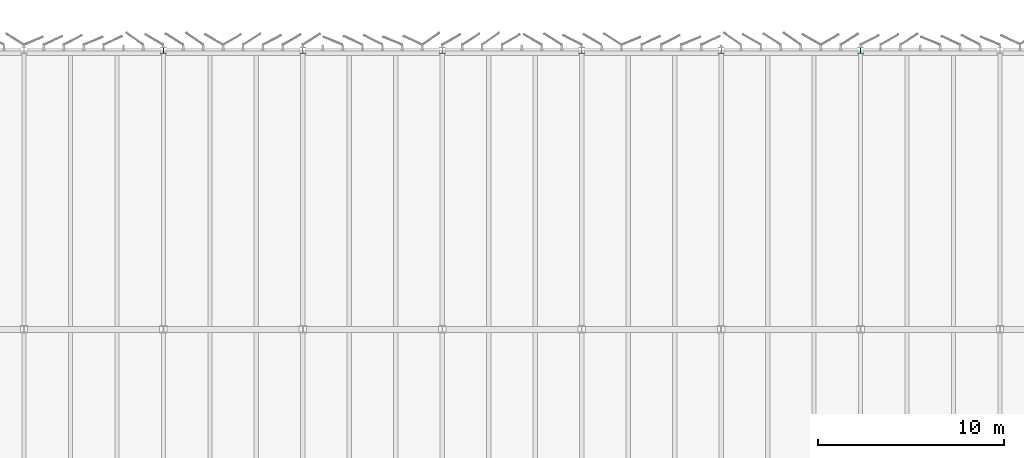
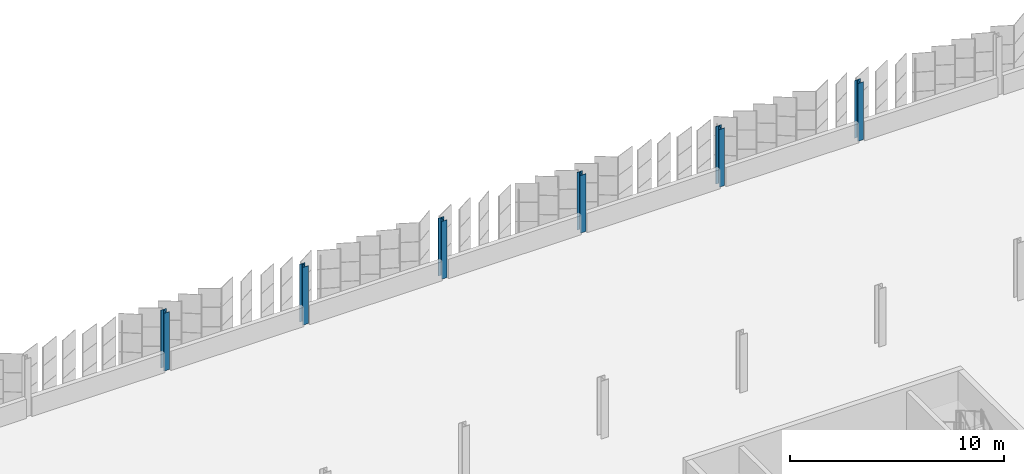
# One storey, part 33 of 214: 6 columns.
"""IFC4 building model written with IfcOpenShell, lengths in metres."""

from ifc_helpers import new_model, si_unit, direction, frame, origin, origin_2d, place, context, subcontext, project, spatial, i_section, extrude, material, material_profile, profile_set, type_object, element, save


model = new_model("IFC4")

# Units and contexts
model_context = context("Model", 3, precision=1e-05, world=origin(), true_north=direction((0.0, 1.0)))
body_context = subcontext(model_context, "Body", "Model", "MODEL_VIEW")
ifc_project = project(units=[si_unit("LENGTHUNIT", "METRE"), si_unit("AREAUNIT", "SQUARE_METRE"), si_unit("VOLUMEUNIT", "CUBIC_METRE"), si_unit("PLANEANGLEUNIT", "RADIAN"), si_unit("MASSUNIT", "GRAM", prefix="KILO")], contexts=[model_context])

# Site, building, storey
site_placement = place(None, origin())
site = spatial("IfcSite", under=ifc_project, at=site_placement, CompositionType="ELEMENT")
building_placement = place(site_placement, origin())
building = spatial("IfcBuilding", under=site, at=building_placement, Name="Parallax Yard Mobility Hub", CompositionType="ELEMENT")
storey_placement = place(building_placement, frame((0.0, 0.0, 3.300048828125)))
storey = spatial("IfcBuildingStorey", under=building, at=storey_placement, Name="L01", CompositionType="ELEMENT", Elevation=3.300048828125)

# Columns
ifc_material = material(Name="Steel ASTM A992", Category="steel")
ifc_material_profile = material_profile(ifc_material, i_section(OverallWidth=0.304931640625, OverallDepth=0.31201171875, WebThickness=0.010986328125, FlangeThickness=0.01708984375, FilletRadius=0.015380859375, at=origin_2d()), Name="W310x107")
ifc_profile_set = profile_set([ifc_material_profile], Name="Steel ASTM A992")
column_type = type_object("IfcColumnType", Name="W310x107 column", PredefinedType="COLUMN", material=ifc_profile_set)
for number, where, z_axis, x_axis, name in (
    (1, (112.5, 142.5, 0.0), (0.0, 0.0, 1.0), (1.0, 0.0, 0.0), "Column C2 level L01 at V/16 of ramped parking decks"),
    (2, (120.0, 142.5, 0.0), (0.0, 0.0, 1.0), (1.0, 0.0, 0.0), "Column C2 level L01 at V/17 of ramped parking decks"),
    (3, (127.5, 142.5, 0.0), (0.0, 0.0, 1.0), (1.0, 0.0, 0.0), "Column C2 level L01 at V/18 of ramped parking decks"),
    (4, (135.0, 142.5, 0.0), (0.0, 0.0, 1.0), (1.0, 0.0, 0.0), "Column C2 level L01 at V/19 of ramped parking decks"),
    (5, (142.5, 142.5, 0.0), (0.0, 0.0, 1.0), (1.0, 0.0, 0.0), "Column C2 level L01 at V/20 of ramped parking decks"),
    (6, (150.0, 142.5, 0.0), (0.0, 0.0, 1.0), (1.0, 0.0, 0.0), "Column C2 level L01 at V/21 of ramped parking decks"),
):
    element("IfcColumn", number, at=place(storey_placement, frame(where, z_axis=z_axis, x_axis=x_axis)), inside=storey, type_object=column_type, Name=name, PredefinedType="COLUMN", context=body_context, shape_type="SweptSolid", body=[
        extrude(i_section(OverallWidth=0.304931640625, OverallDepth=0.31201171875, WebThickness=0.010986328125, FlangeThickness=0.01708984375, FilletRadius=0.015380859375, at=origin_2d()), origin(), (0.0, 0.0, 1.0), 3.300048828125),
    ])

save(model, "model.ifc")
